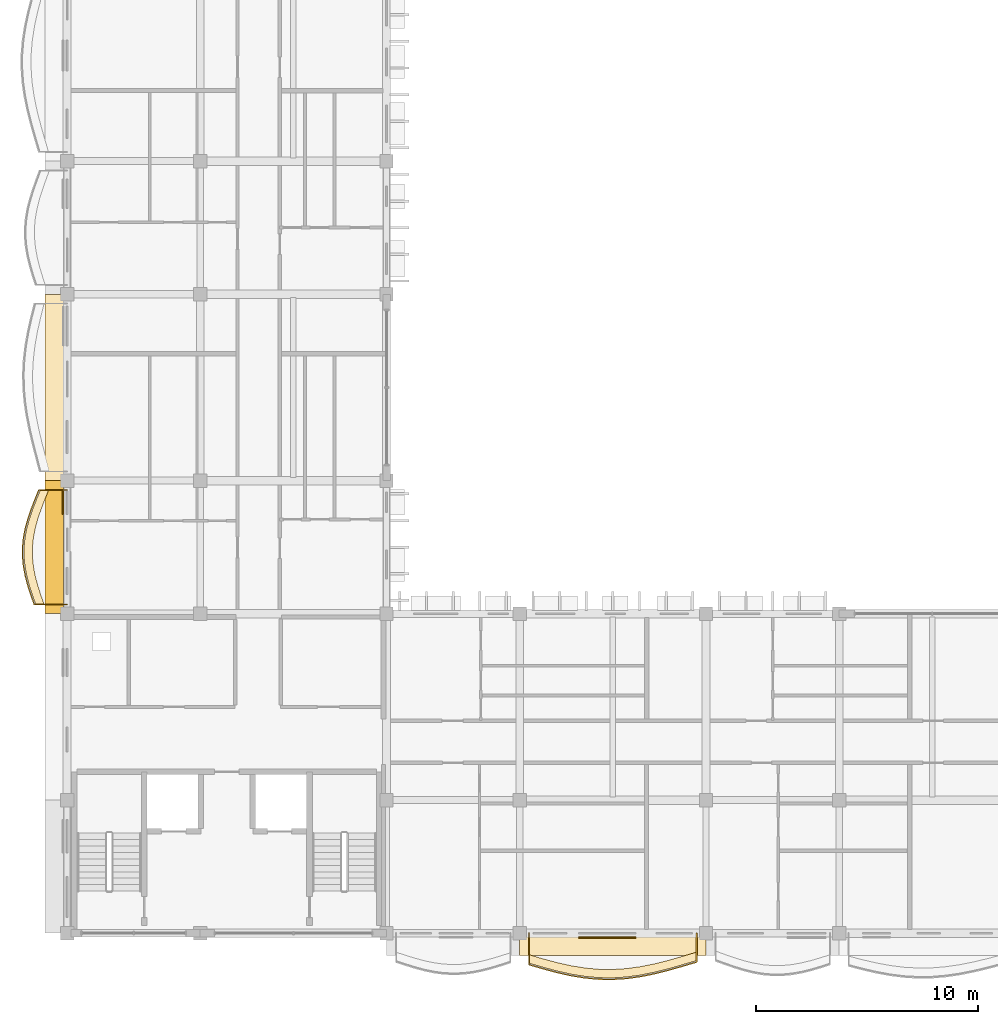
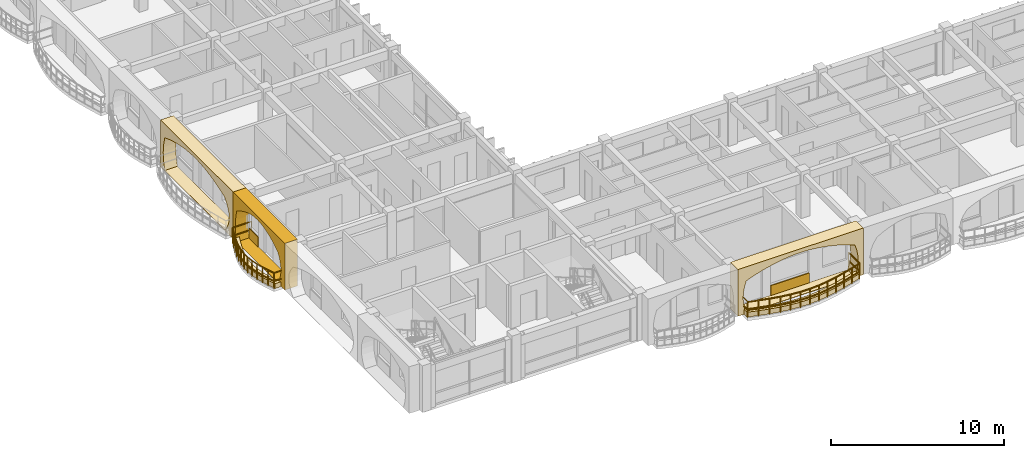
# One storey, part 52 of 79: 7 coverings, 2 railings.
"""IFC4 building model written with IfcOpenShell, lengths in metres."""

from ifc_helpers import new_model, si_unit, direction, frame, origin, origin_2d, place, context, subcontext, project, spatial, polyline, rectangle, outline, extrude, material, layer, layer_set, type_object, element, save


model = new_model("IFC4")

# Units and contexts
model_context = context("Model", 3, precision=1e-05, world=origin(), true_north=direction((0.0, 1.0)))
body_context = subcontext(model_context, "Body", "Model", "MODEL_VIEW")
ifc_project = project(units=[si_unit("LENGTHUNIT", "METRE"), si_unit("AREAUNIT", "SQUARE_METRE"), si_unit("VOLUMEUNIT", "CUBIC_METRE"), si_unit("PLANEANGLEUNIT", "RADIAN"), si_unit("MASSUNIT", "GRAM", prefix="KILO"), si_unit("THERMODYNAMICTEMPERATUREUNIT", "KELVIN")], contexts=[model_context])

# Site, building, storey
site_placement = place(None, origin())
site = spatial("IfcSite", under=ifc_project, at=site_placement, CompositionType="ELEMENT")
building_placement = place(site_placement, origin())
building = spatial("IfcBuilding", under=site, at=building_placement, Name="Thalorik Housing Commons", CompositionType="ELEMENT")
storey_placement = place(building_placement, frame((0.0, 0.0, 11.39990234375)))
storey = spatial("IfcBuildingStorey", under=building, at=storey_placement, Name="L03", CompositionType="ELEMENT", Elevation=11.39990234375)

# Coverings
ifc_material_1 = material(Name="Cobalt blue glazed ceramic facade tile panel", Category="masonry")
ifc_layer_1 = layer(ifc_material_1, 0.06005859375, Name="Cobalt blue glazed ceramic facade tile panel", Category="masonry")
ifc_layer_set_1 = layer_set([ifc_layer_1], Name="Cobalt blue glazed ceramic facade tile panel")
covering_type_1 = type_object("IfcCoveringType", Name="ARC-CLD-BLU-60", PredefinedType="CLADDING", material=ifc_layer_set_1)
covering_1_placement = place(storey_placement, frame((8.21240234375, 27.800048828125, 0.05029296875), z_axis=(0.0, 0.0, 1.0), x_axis=(0.0, -1.0, 0.0)))
element("IfcCovering", 1, at=covering_1_placement, inside=storey, type_object=covering_type_1, Name="L03 De Stijl Recessed Window Spandrel 3721", PredefinedType="CLADDING", context=body_context, shape_type="SweptSolid", body=[
    extrude(rectangle(XDim=1.050048828125, YDim=0.06005859375, at=origin_2d()), origin(), (0.0, 0.0, 1.0), 0.699951171875),
])
covering_2_placement = place(storey_placement, frame((32.7451171875, 8.21240234375, 0.05029296875), z_axis=(0.0, 0.0, 1.0), x_axis=(1.0, 0.0, 0.0)))
element("IfcCovering", 2, at=covering_2_placement, inside=storey, type_object=covering_type_1, Name="L03 De Stijl Recessed Window Spandrel 3729", PredefinedType="CLADDING", context=body_context, shape_type="SweptSolid", body=[
    extrude(rectangle(XDim=2.580078125, YDim=0.06005859375, at=origin_2d()), origin(), (0.0, 0.0, 1.0), 0.699951171875),
])
ifc_material_2 = material(Name="Precast concrete C40/50", Category="concrete")
ifc_layer_2 = layer(ifc_material_2, 0.85009765625, Name="Precast concrete C40/50", Category="concrete")
ifc_layer_set_2 = layer_set([ifc_layer_2], Name="Precast concrete C40/50")
covering_type_2 = type_object("IfcCoveringType", Name="ARC-CLD-CUSH-850", PredefinedType="CLADDING", material=ifc_layer_set_2)
covering_3_placement = place(storey_placement, frame((7.822509765625, 33.0, 0.0), z_axis=(0.0, 0.0, 1.0), x_axis=(0.0, -1.0, 0.0)))
element("IfcCovering", 3, at=covering_3_placement, inside=storey, type_object=covering_type_2, Name="L03 White Precast Curved Cushion Bay Frame 3718", PredefinedType="CLADDING", context=body_context, shape_type="SweptSolid", body=[
    extrude(outline(polyline([(-4.199951171875, 0.0), (4.199951171875, 0.0), (4.199951171875, 3.300048828125), (-4.199951171875, 3.300048828125), (-4.199951171875, 0.0)]), holes=[polyline([(3.239990234375, 0.02490234375), (3.523193359375, 0.410888671875), (3.693359375, 0.796630859375), (3.75, 1.1826171875), (3.693359375, 1.568359375), (3.523193359375, 1.9541015625), (3.239990234375, 2.340087890625), (2.661376953125, 2.552978515625), (2.08251953125, 2.720458984375), (1.50390625, 2.85595703125), (0.925048828125, 2.956787109375), (0.34619140625, 3.01904296875), (-0.232421875, 3.0400390625), (-0.811279296875, 3.01904296875), (-1.389892578125, 2.956787109375), (-1.96875, 2.85595703125), (-2.547607421875, 2.720458984375), (-3.126220703125, 2.552978515625), (-3.705078125, 2.340087890625), (-3.8095703125, 1.9541015625), (-3.872314453125, 1.568359375), (-3.89306640625, 1.1826171875), (-3.872314453125, 0.796630859375), (-3.8095703125, 0.410888671875), (-3.705078125, 0.02490234375), (3.239990234375, 0.02490234375)])]), frame((0.0, 0.425048828125, 0.0), z_axis=(0.0, -1.0, 0.0), x_axis=(1.0, 0.0, 0.0)), (0.0, 0.0, 1.0), 0.85009765625),
])
covering_4_placement = place(storey_placement, frame((7.822509765625, 25.800048828125, 0.0), z_axis=(0.0, 0.0, 1.0), x_axis=(0.0, -1.0, 0.0)))
element("IfcCovering", 4, at=covering_4_placement, inside=storey, type_object=covering_type_2, Name="L03 White Precast Curved Cushion Bay Frame 3720", PredefinedType="CLADDING", context=body_context, shape_type="SweptSolid", body=[
    extrude(outline(polyline([(-3.0, 0.0), (3.0, 0.0), (3.0, 3.300048828125), (-3.0, 3.300048828125), (-3.0, 0.0)]), holes=[polyline([(2.175048828125, 0.02490234375), (2.38330078125, 0.387451171875), (2.50830078125, 0.75), (2.550048828125, 1.112548828125), (2.50830078125, 1.47509765625), (2.38330078125, 1.83740234375), (2.175048828125, 2.199951171875), (1.779296875, 2.455810546875), (1.38330078125, 2.656494140625), (0.987548828125, 2.819091796875), (0.591796875, 2.940185546875), (0.19580078125, 3.014892578125), (-0.199951171875, 3.0400390625), (-0.595703125, 3.014892578125), (-0.99169921875, 2.940185546875), (-1.387451171875, 2.819091796875), (-1.783203125, 2.656494140625), (-2.17919921875, 2.455810546875), (-2.574951171875, 2.199951171875), (-2.664794921875, 1.83740234375), (-2.718505859375, 1.47509765625), (-2.736572265625, 1.112548828125), (-2.718505859375, 0.75), (-2.664794921875, 0.387451171875), (-2.574951171875, 0.02490234375), (2.175048828125, 0.02490234375)])]), frame((0.0, 0.425048828125, 0.0), z_axis=(0.0, -1.0, 0.0), x_axis=(1.0, 0.0, 0.0)), (0.0, 0.0, 1.0), 0.85009765625),
])
covering_5_placement = place(storey_placement, frame((33.0, 7.822509765625, 0.0), z_axis=(0.0, 0.0, 1.0), x_axis=(1.0, 0.0, 0.0)))
element("IfcCovering", 5, at=covering_5_placement, inside=storey, type_object=covering_type_2, Name="L03 White Precast Curved Cushion Bay Frame 3728", PredefinedType="CLADDING", context=body_context, shape_type="SweptSolid", body=[
    extrude(outline(polyline([(-4.199951171875, 0.0), (4.199951171875, 0.0), (4.199951171875, 3.300048828125), (-4.199951171875, 3.300048828125), (-4.199951171875, 0.0)]), holes=[polyline([(3.625, 0.02490234375), (3.746337890625, 0.404296875), (3.819091796875, 0.783203125), (3.843505859375, 1.16259765625), (3.819091796875, 1.541748046875), (3.746337890625, 1.9208984375), (3.625, 2.300048828125), (3.0205078125, 2.525390625), (2.415771484375, 2.7021484375), (1.811279296875, 2.845458984375), (1.206787109375, 2.951904296875), (0.60205078125, 3.017822265625), (-0.00244140625, 3.0400390625), (-0.607177734375, 3.017822265625), (-1.211669921875, 2.951904296875), (-1.81640625, 2.845458984375), (-2.4208984375, 2.7021484375), (-3.025390625, 2.525390625), (-3.6298828125, 2.300048828125), (-3.750244140625, 1.9208984375), (-3.822509765625, 1.541748046875), (-3.8466796875, 1.16259765625), (-3.822509765625, 0.783203125), (-3.750244140625, 0.404296875), (-3.6298828125, 0.02490234375), (3.625, 0.02490234375)])]), frame((0.0, 0.425048828125, 0.0), z_axis=(0.0, -1.0, 0.0), x_axis=(1.0, 0.0, 0.0)), (0.0, 0.0, 1.0), 0.85009765625),
])
ifc_material_3 = material(Name="Planted vegetated substrate and terracotta trough", Category="masonry")
ifc_layer_3 = layer(ifc_material_3, 0.340087890625, Name="Planted vegetated substrate and terracotta trough", Category="masonry")
ifc_layer_set_3 = layer_set([ifc_layer_3], Name="Planted vegetated substrate and terracotta trough")
covering_type_3 = type_object("IfcCoveringType", Name="ARC-COV-PLANTER", PredefinedType="USERDEFINED", material=ifc_layer_set_3)
covering_6_placement = place(storey_placement, origin())
element("IfcCovering", 6, at=covering_6_placement, inside=storey, type_object=covering_type_3, Name="L03 Balcony Slab-Edge Planted Trough 5577", ObjectType="PLANTER", PredefinedType="USERDEFINED", context=body_context, shape_type="SweptSolid", body=[
    extrude(outline(polyline([(7.19140625, 28.3798828125), (7.01708984375, 27.949951171875), (6.850830078125, 27.52001953125), (6.70361328125, 27.090087890625), (6.58447265625, 26.659912109375), (6.5009765625, 26.22998046875), (6.458251953125, 25.800048828125), (6.458251953125, 25.3701171875), (6.500244140625, 24.93994140625), (6.580810546875, 24.510009765625), (6.694091796875, 24.080078125), (6.831787109375, 23.64990234375), (6.98388671875, 23.219970703125), (7.364013671875, 23.219970703125), (7.211669921875, 23.64990234375), (7.07421875, 24.080078125), (6.9609375, 24.510009765625), (6.880126953125, 24.93994140625), (6.838134765625, 25.3701171875), (6.838134765625, 25.800048828125), (6.881103515625, 26.22998046875), (6.964599609375, 26.659912109375), (7.08349609375, 27.090087890625), (7.23095703125, 27.52001953125), (7.397216796875, 27.949951171875), (7.571533203125, 28.3798828125), (7.19140625, 28.3798828125)])), origin(), (0.0, 0.0, 1.0), 0.340087890625),
])
covering_7_placement = place(storey_placement, origin())
element("IfcCovering", 7, at=covering_7_placement, inside=storey, type_object=covering_type_3, Name="L03 Balcony Slab-Edge Planted Trough 5583", ObjectType="PLANTER", PredefinedType="USERDEFINED", context=body_context, shape_type="SweptSolid", body=[
    extrude(outline(polyline([(29.219970703125, 7.0498046875), (29.85009765625, 6.864013671875), (30.47998046875, 6.6953125), (31.110107421875, 6.5546875), (31.739990234375, 6.451904296875), (32.3701171875, 6.39453125), (33.0, 6.385986328125), (33.6298828125, 6.4267578125), (34.260009765625, 6.51416015625), (34.889892578125, 6.64208984375), (35.52001953125, 6.80126953125), (36.14990234375, 6.98095703125), (36.780029296875, 7.16845703125), (36.780029296875, 7.54833984375), (36.14990234375, 7.36083984375), (35.52001953125, 7.18115234375), (34.889892578125, 7.02197265625), (34.260009765625, 6.894287109375), (33.6298828125, 6.806884765625), (33.0, 6.765869140625), (32.3701171875, 6.7744140625), (31.739990234375, 6.83203125), (31.110107421875, 6.9345703125), (30.47998046875, 7.0751953125), (29.85009765625, 7.244140625), (29.219970703125, 7.4296875), (29.219970703125, 7.0498046875)])), origin(), (0.0, 0.0, 1.0), 0.340087890625),
])

# Railings
ifc_material_4 = material(Name="Steel S355", Category="steel")
railing_type = type_object("IfcRailingType", Name="ARC-RL-BAL-115", PredefinedType="BALUSTRADE", material=ifc_material_4)
railing_1_placement = place(storey_placement, frame((8.39990234375, 28.3798828125, 0.0)))
element("IfcRailing", 8, at=railing_1_placement, inside=storey, type_object=railing_type, Name="L03 Cushion Balcony Guardrail 261", PredefinedType="BALUSTRADE", context=body_context, shape_type="SweptSolid", body=[
    extrude(rectangle(XDim=0.050048828125, YDim=0.050048828125, at=origin_2d()), frame((0.0, 0.0, 1.125), z_axis=(-1.0, 0.0, 0.0), x_axis=(0.0, -1.0, 0.0)), (0.0, 0.0, 1.0), 1.2783203125),
    extrude(rectangle(XDim=0.050048828125, YDim=0.050048828125, at=origin_2d()), frame((0.0, 0.0, 0.5498046875), z_axis=(-1.0, 0.0, 0.0), x_axis=(0.0, -1.0, 0.0)), (0.0, 0.0, 1.0), 1.2783203125),
    extrude(rectangle(XDim=0.050048828125, YDim=0.050048828125, at=origin_2d()), frame((-1.2783203125, 0.0, 1.125), z_axis=(-0.376193572468, -0.926541092469, 0.0), x_axis=(0.926541092469, -0.376193572468, 0.0)), (0.0, 0.0, 1.0), 0.464111328125),
    extrude(rectangle(XDim=0.050048828125, YDim=0.050048828125, at=origin_2d()), frame((-1.2783203125, 0.0, 0.5498046875), z_axis=(-0.376193572468, -0.926541092469, 0.0), x_axis=(0.926541092469, -0.376193572468, 0.0)), (0.0, 0.0, 1.0), 0.464111328125),
    extrude(rectangle(XDim=0.050048828125, YDim=0.050048828125, at=origin_2d()), frame((-1.452880859375, -0.429931640625, 1.125), z_axis=(-0.360221185756, -0.9328669237, 0.0), x_axis=(0.9328669237, -0.360221185756, 0.0)), (0.0, 0.0, 1.0), 0.4609375),
    extrude(rectangle(XDim=0.050048828125, YDim=0.050048828125, at=origin_2d()), frame((-1.452880859375, -0.429931640625, 0.5498046875), z_axis=(-0.360221185756, -0.9328669237, 0.0), x_axis=(0.9328669237, -0.360221185756, 0.0)), (0.0, 0.0, 1.0), 0.4609375),
    extrude(rectangle(XDim=0.050048828125, YDim=0.050048828125, at=origin_2d()), frame((-1.618896484375, -0.85986328125, 1.125), z_axis=(-0.324434183315, -0.945908272877, 0.0), x_axis=(0.945908272877, -0.324434183315, 0.0)), (0.0, 0.0, 1.0), 0.45458984375),
    extrude(rectangle(XDim=0.050048828125, YDim=0.050048828125, at=origin_2d()), frame((-1.618896484375, -0.85986328125, 0.5498046875), z_axis=(-0.324434183315, -0.945908272877, 0.0), x_axis=(0.945908272877, -0.324434183315, 0.0)), (0.0, 0.0, 1.0), 0.45458984375),
    extrude(rectangle(XDim=0.050048828125, YDim=0.050048828125, at=origin_2d()), frame((-1.766357421875, -1.289794921875, 1.125), z_axis=(-0.26691034385, -0.963721364475, 0.0), x_axis=(0.963721364475, -0.26691034385, 0.0)), (0.0, 0.0, 1.0), 0.4462890625),
    extrude(rectangle(XDim=0.050048828125, YDim=0.050048828125, at=origin_2d()), frame((-1.766357421875, -1.289794921875, 0.5498046875), z_axis=(-0.26691034385, -0.963721364475, 0.0), x_axis=(0.963721364475, -0.26691034385, 0.0)), (0.0, 0.0, 1.0), 0.4462890625),
    extrude(rectangle(XDim=0.050048828125, YDim=0.050048828125, at=origin_2d()), frame((-1.885498046875, -1.719970703125, 1.125), z_axis=(-0.190645847629, -0.981658882088, 0.0), x_axis=(0.981658882088, -0.190645847629, 0.0)), (0.0, 0.0, 1.0), 0.43798828125),
    extrude(rectangle(XDim=0.050048828125, YDim=0.050048828125, at=origin_2d()), frame((-1.885498046875, -1.719970703125, 0.5498046875), z_axis=(-0.190645847629, -0.981658882088, 0.0), x_axis=(0.981658882088, -0.190645847629, 0.0)), (0.0, 0.0, 1.0), 0.43798828125),
    extrude(rectangle(XDim=0.050048828125, YDim=0.050048828125, at=origin_2d()), frame((-1.968994140625, -2.14990234375, 1.125), z_axis=(-0.098888270863, -0.995098542801, 0.0), x_axis=(0.995098542801, -0.098888270863, 0.0)), (0.0, 0.0, 1.0), 0.43212890625),
    extrude(rectangle(XDim=0.050048828125, YDim=0.050048828125, at=origin_2d()), frame((-1.968994140625, -2.14990234375, 0.5498046875), z_axis=(-0.098888270863, -0.995098542801, 0.0), x_axis=(0.995098542801, -0.098888270863, 0.0)), (0.0, 0.0, 1.0), 0.43212890625),
    extrude(rectangle(XDim=0.050048828125, YDim=0.050048828125, at=origin_2d()), frame((-2.01171875, -2.579833984375, 1.125), z_axis=(0.0, -1.0, 0.0), x_axis=(1.0, 0.0, 0.0)), (0.0, 0.0, 1.0), 0.429931640625),
    extrude(rectangle(XDim=0.050048828125, YDim=0.050048828125, at=origin_2d()), frame((-2.01171875, -2.579833984375, 0.5498046875), z_axis=(0.0, -1.0, 0.0), x_axis=(1.0, 0.0, 0.0)), (0.0, 0.0, 1.0), 0.429931640625),
    extrude(rectangle(XDim=0.050048828125, YDim=0.050048828125, at=origin_2d()), frame((-2.01171875, -3.009765625, 1.125), z_axis=(0.09715455208, -0.995269306776, 0.0), x_axis=(0.995269306776, 0.09715455208, 0.0)), (0.0, 0.0, 1.0), 0.43212890625),
    extrude(rectangle(XDim=0.050048828125, YDim=0.050048828125, at=origin_2d()), frame((-2.01171875, -3.009765625, 0.5498046875), z_axis=(0.09715455208, -0.995269306776, 0.0), x_axis=(0.995269306776, 0.09715455208, 0.0)), (0.0, 0.0, 1.0), 0.43212890625),
    extrude(rectangle(XDim=0.050048828125, YDim=0.050048828125, at=origin_2d()), frame((-1.9697265625, -3.43994140625, 1.125), z_axis=(0.184726561835, -0.982789955867, 0.0), x_axis=(0.982789955867, 0.184726561835, 0.0)), (0.0, 0.0, 1.0), 0.4375),
    extrude(rectangle(XDim=0.050048828125, YDim=0.050048828125, at=origin_2d()), frame((-1.9697265625, -3.43994140625, 0.5498046875), z_axis=(0.184726561835, -0.982789955867, 0.0), x_axis=(0.982789955867, 0.184726561835, 0.0)), (0.0, 0.0, 1.0), 0.4375),
    extrude(rectangle(XDim=0.050048828125, YDim=0.050048828125, at=origin_2d()), frame((-1.888916015625, -3.869873046875, 1.125), z_axis=(0.254277029817, -0.967131424423, 0.0), x_axis=(0.967131424423, 0.254277029817, 0.0)), (0.0, 0.0, 1.0), 0.444580078125),
    extrude(rectangle(XDim=0.050048828125, YDim=0.050048828125, at=origin_2d()), frame((-1.888916015625, -3.869873046875, 0.5498046875), z_axis=(0.254277029817, -0.967131424423, 0.0), x_axis=(0.967131424423, 0.254277029817, 0.0)), (0.0, 0.0, 1.0), 0.444580078125),
    extrude(rectangle(XDim=0.050048828125, YDim=0.050048828125, at=origin_2d()), frame((-1.77587890625, -4.2998046875, 1.125), z_axis=(0.304854176228, -0.952399039918, 0.0), x_axis=(0.952399039918, 0.304854176228, 0.0)), (0.0, 0.0, 1.0), 0.45166015625),
    extrude(rectangle(XDim=0.050048828125, YDim=0.050048828125, at=origin_2d()), frame((-1.77587890625, -4.2998046875, 0.5498046875), z_axis=(0.304854176228, -0.952399039918, 0.0), x_axis=(0.952399039918, 0.304854176228, 0.0)), (0.0, 0.0, 1.0), 0.45166015625),
    extrude(rectangle(XDim=0.050048828125, YDim=0.050048828125, at=origin_2d()), frame((-1.63818359375, -4.72998046875, 1.125), z_axis=(0.333995761205, -0.942574576093, 0.0), x_axis=(0.942574576093, 0.333995761205, 0.0)), (0.0, 0.0, 1.0), 0.4560546875),
    extrude(rectangle(XDim=0.050048828125, YDim=0.050048828125, at=origin_2d()), frame((-1.63818359375, -4.72998046875, 0.5498046875), z_axis=(0.333995761205, -0.942574576093, 0.0), x_axis=(0.942574576093, 0.333995761205, 0.0)), (0.0, 0.0, 1.0), 0.4560546875),
    extrude(rectangle(XDim=0.050048828125, YDim=0.050048828125, at=origin_2d()), frame((-1.48583984375, -5.159912109375, 1.125), z_axis=(1.0, 0.0, 0.0), x_axis=(0.0, 1.0, 0.0)), (0.0, 0.0, 1.0), 1.48583984375),
    extrude(rectangle(XDim=0.050048828125, YDim=0.050048828125, at=origin_2d()), frame((-1.48583984375, -5.159912109375, 0.5498046875), z_axis=(1.0, 0.0, 0.0), x_axis=(0.0, 1.0, 0.0)), (0.0, 0.0, 1.0), 1.48583984375),
    extrude(rectangle(XDim=0.0419921875, YDim=0.0419921875, at=origin_2d()), origin(), (0.0, 0.0, 1.0), 1.099853515625),
    extrude(rectangle(XDim=0.0419921875, YDim=0.0419921875, at=origin_2d()), frame((-1.2783203125, 0.0, 0.0)), (0.0, 0.0, 1.0), 1.099853515625),
    extrude(rectangle(XDim=0.0419921875, YDim=0.0419921875, at=origin_2d()), frame((-1.452880859375, -0.429931640625, 0.0)), (0.0, 0.0, 1.0), 1.099853515625),
    extrude(rectangle(XDim=0.0419921875, YDim=0.0419921875, at=origin_2d()), frame((-1.618896484375, -0.85986328125, 0.0)), (0.0, 0.0, 1.0), 1.099853515625),
    extrude(rectangle(XDim=0.0419921875, YDim=0.0419921875, at=origin_2d()), frame((-1.766357421875, -1.289794921875, 0.0)), (0.0, 0.0, 1.0), 1.099853515625),
    extrude(rectangle(XDim=0.0419921875, YDim=0.0419921875, at=origin_2d()), frame((-1.885498046875, -1.719970703125, 0.0)), (0.0, 0.0, 1.0), 1.099853515625),
    extrude(rectangle(XDim=0.0419921875, YDim=0.0419921875, at=origin_2d()), frame((-1.968994140625, -2.14990234375, 0.0)), (0.0, 0.0, 1.0), 1.099853515625),
    extrude(rectangle(XDim=0.0419921875, YDim=0.0419921875, at=origin_2d()), frame((-2.01171875, -2.579833984375, 0.0)), (0.0, 0.0, 1.0), 1.099853515625),
    extrude(rectangle(XDim=0.0419921875, YDim=0.0419921875, at=origin_2d()), frame((-2.01171875, -3.009765625, 0.0)), (0.0, 0.0, 1.0), 1.099853515625),
    extrude(rectangle(XDim=0.0419921875, YDim=0.0419921875, at=origin_2d()), frame((-1.9697265625, -3.43994140625, 0.0)), (0.0, 0.0, 1.0), 1.099853515625),
    extrude(rectangle(XDim=0.0419921875, YDim=0.0419921875, at=origin_2d()), frame((-1.888916015625, -3.869873046875, 0.0)), (0.0, 0.0, 1.0), 1.099853515625),
    extrude(rectangle(XDim=0.0419921875, YDim=0.0419921875, at=origin_2d()), frame((-1.77587890625, -4.2998046875, 0.0)), (0.0, 0.0, 1.0), 1.099853515625),
    extrude(rectangle(XDim=0.0419921875, YDim=0.0419921875, at=origin_2d()), frame((-1.63818359375, -4.72998046875, 0.0)), (0.0, 0.0, 1.0), 1.099853515625),
    extrude(rectangle(XDim=0.0419921875, YDim=0.0419921875, at=origin_2d()), frame((-1.48583984375, -5.159912109375, 0.0)), (0.0, 0.0, 1.0), 1.099853515625),
    extrude(rectangle(XDim=0.0419921875, YDim=0.0419921875, at=origin_2d()), frame((0.0, -5.159912109375, 0.0)), (0.0, 0.0, 1.0), 1.099853515625),
])
railing_2_placement = place(storey_placement, frame((29.219970703125, 8.39990234375, 0.0)))
element("IfcRailing", 9, at=railing_2_placement, inside=storey, type_object=railing_type, Name="L03 Cushion Balcony Guardrail 267", PredefinedType="BALUSTRADE", context=body_context, shape_type="SweptSolid", body=[
    extrude(rectangle(XDim=0.050048828125, YDim=0.050048828125, at=origin_2d()), frame((0.0, 0.0, 1.125), z_axis=(0.0, -1.0, 0.0), x_axis=(1.0, 0.0, 0.0)), (0.0, 0.0, 1.0), 1.420166015625),
    extrude(rectangle(XDim=0.050048828125, YDim=0.050048828125, at=origin_2d()), frame((0.0, 0.0, 0.5498046875), z_axis=(0.0, -1.0, 0.0), x_axis=(1.0, 0.0, 0.0)), (0.0, 0.0, 1.0), 1.420166015625),
    extrude(rectangle(XDim=0.050048828125, YDim=0.050048828125, at=origin_2d()), frame((0.0, -1.420166015625, 1.125), z_axis=(0.959276679741, -0.282468142814, 0.0), x_axis=(0.282468142814, 0.959276679741, 0.0)), (0.0, 0.0, 1.0), 0.656982421875),
    extrude(rectangle(XDim=0.050048828125, YDim=0.050048828125, at=origin_2d()), frame((0.0, -1.420166015625, 0.5498046875), z_axis=(0.959276679741, -0.282468142814, 0.0), x_axis=(0.282468142814, 0.959276679741, 0.0)), (0.0, 0.0, 1.0), 0.656982421875),
    extrude(rectangle(XDim=0.050048828125, YDim=0.050048828125, at=origin_2d()), frame((0.630126953125, -1.605712890625, 1.125), z_axis=(0.965861116795, -0.259060423575, 0.0), x_axis=(0.259060423575, 0.965861116795, 0.0)), (0.0, 0.0, 1.0), 0.652099609375),
    extrude(rectangle(XDim=0.050048828125, YDim=0.050048828125, at=origin_2d()), frame((0.630126953125, -1.605712890625, 0.5498046875), z_axis=(0.965861116795, -0.259060423575, 0.0), x_axis=(0.259060423575, 0.965861116795, 0.0)), (0.0, 0.0, 1.0), 0.652099609375),
    extrude(rectangle(XDim=0.050048828125, YDim=0.050048828125, at=origin_2d()), frame((1.260009765625, -1.774658203125, 1.125), z_axis=(0.975990917387, -0.217811223718, 0.0), x_axis=(0.217811223718, 0.975990917387, 0.0)), (0.0, 0.0, 1.0), 0.6455078125),
    extrude(rectangle(XDim=0.050048828125, YDim=0.050048828125, at=origin_2d()), frame((1.260009765625, -1.774658203125, 0.5498046875), z_axis=(0.975990917387, -0.217811223718, 0.0), x_axis=(0.217811223718, 0.975990917387, 0.0)), (0.0, 0.0, 1.0), 0.6455078125),
    extrude(rectangle(XDim=0.050048828125, YDim=0.050048828125, at=origin_2d()), frame((1.89013671875, -1.915283203125, 1.125), z_axis=(0.987007269931, -0.160675602082, 0.0), x_axis=(0.160675602082, 0.987007269931, 0.0)), (0.0, 0.0, 1.0), 0.63818359375),
    extrude(rectangle(XDim=0.050048828125, YDim=0.050048828125, at=origin_2d()), frame((1.89013671875, -1.915283203125, 0.5498046875), z_axis=(0.987007269931, -0.160675602082, 0.0), x_axis=(0.160675602082, 0.987007269931, 0.0)), (0.0, 0.0, 1.0), 0.63818359375),
    extrude(rectangle(XDim=0.050048828125, YDim=0.050048828125, at=origin_2d()), frame((2.52001953125, -2.017822265625, 1.125), z_axis=(0.995845630762, -0.091057562518, 0.0), x_axis=(0.091057562518, 0.995845630762, 0.0)), (0.0, 0.0, 1.0), 0.6328125),
    extrude(rectangle(XDim=0.050048828125, YDim=0.050048828125, at=origin_2d()), frame((2.52001953125, -2.017822265625, 0.5498046875), z_axis=(0.995845630762, -0.091057562518, 0.0), x_axis=(0.091057562518, 0.995845630762, 0.0)), (0.0, 0.0, 1.0), 0.6328125),
    extrude(rectangle(XDim=0.050048828125, YDim=0.050048828125, at=origin_2d()), frame((3.150146484375, -2.075439453125, 1.125), z_axis=(0.999907995993, -0.013564643356, 0.0), x_axis=(0.013564643356, 0.999907995993, 0.0)), (0.0, 0.0, 1.0), 0.6298828125),
    extrude(rectangle(XDim=0.050048828125, YDim=0.050048828125, at=origin_2d()), frame((3.150146484375, -2.075439453125, 0.5498046875), z_axis=(0.999907995993, -0.013564643356, 0.0), x_axis=(0.013564643356, 0.999907995993, 0.0)), (0.0, 0.0, 1.0), 0.6298828125),
    extrude(rectangle(XDim=0.050048828125, YDim=0.050048828125, at=origin_2d()), frame((3.780029296875, -2.083984375, 1.125), z_axis=(0.997911658868, 0.064593506601, 0.0), x_axis=(-0.064593506601, 0.997911658868, 0.0)), (0.0, 0.0, 1.0), 0.631103515625),
    extrude(rectangle(XDim=0.050048828125, YDim=0.050048828125, at=origin_2d()), frame((3.780029296875, -2.083984375, 0.5498046875), z_axis=(0.997911658868, 0.064593506601, 0.0), x_axis=(-0.064593506601, 0.997911658868, 0.0)), (0.0, 0.0, 1.0), 0.631103515625),
    extrude(rectangle(XDim=0.050048828125, YDim=0.050048828125, at=origin_2d()), frame((4.409912109375, -2.043212890625, 1.125), z_axis=(0.990516951139, 0.137390572843, 0.0), x_axis=(-0.137390572843, 0.990516951139, 0.0)), (0.0, 0.0, 1.0), 0.63623046875),
    extrude(rectangle(XDim=0.050048828125, YDim=0.050048828125, at=origin_2d()), frame((4.409912109375, -2.043212890625, 0.5498046875), z_axis=(0.990516951139, 0.137390572843, 0.0), x_axis=(-0.137390572843, 0.990516951139, 0.0)), (0.0, 0.0, 1.0), 0.63623046875),
    extrude(rectangle(XDim=0.050048828125, YDim=0.050048828125, at=origin_2d()), frame((5.0400390625, -1.955810546875, 1.125), z_axis=(0.979991950448, 0.19903712482, 0.0), x_axis=(-0.19903712482, 0.979991950448, 0.0)), (0.0, 0.0, 1.0), 0.642822265625),
    extrude(rectangle(XDim=0.050048828125, YDim=0.050048828125, at=origin_2d()), frame((5.0400390625, -1.955810546875, 0.5498046875), z_axis=(0.979991950448, 0.19903712482, 0.0), x_axis=(-0.19903712482, 0.979991950448, 0.0)), (0.0, 0.0, 1.0), 0.642822265625),
    extrude(rectangle(XDim=0.050048828125, YDim=0.050048828125, at=origin_2d()), frame((5.669921875, -1.827880859375, 1.125), z_axis=(0.969542950291, 0.244921349705, 0.0), x_axis=(-0.244921349705, 0.969542950291, 0.0)), (0.0, 0.0, 1.0), 0.64990234375),
    extrude(rectangle(XDim=0.050048828125, YDim=0.050048828125, at=origin_2d()), frame((5.669921875, -1.827880859375, 0.5498046875), z_axis=(0.969542950291, 0.244921349705, 0.0), x_axis=(-0.244921349705, 0.969542950291, 0.0)), (0.0, 0.0, 1.0), 0.64990234375),
    extrude(rectangle(XDim=0.050048828125, YDim=0.050048828125, at=origin_2d()), frame((6.300048828125, -1.668701171875, 1.125), z_axis=(0.961636388432, 0.274327279801, 0.0), x_axis=(-0.274327279801, 0.961636388432, 0.0)), (0.0, 0.0, 1.0), 0.655029296875),
    extrude(rectangle(XDim=0.050048828125, YDim=0.050048828125, at=origin_2d()), frame((6.300048828125, -1.668701171875, 0.5498046875), z_axis=(0.961636388432, 0.274327279801, 0.0), x_axis=(-0.274327279801, 0.961636388432, 0.0)), (0.0, 0.0, 1.0), 0.655029296875),
    extrude(rectangle(XDim=0.050048828125, YDim=0.050048828125, at=origin_2d()), frame((6.929931640625, -1.489013671875, 1.125), z_axis=(0.958467789843, 0.285200799147, 0.0), x_axis=(-0.285200799147, 0.958467789843, 0.0)), (0.0, 0.0, 1.0), 0.657470703125),
    extrude(rectangle(XDim=0.050048828125, YDim=0.050048828125, at=origin_2d()), frame((6.929931640625, -1.489013671875, 0.5498046875), z_axis=(0.958467789843, 0.285200799147, 0.0), x_axis=(-0.285200799147, 0.958467789843, 0.0)), (0.0, 0.0, 1.0), 0.657470703125),
    extrude(rectangle(XDim=0.050048828125, YDim=0.050048828125, at=origin_2d()), frame((7.56005859375, -1.301513671875, 1.125), z_axis=(0.0, 1.0, 0.0), x_axis=(-1.0, 0.0, 0.0)), (0.0, 0.0, 1.0), 1.301513671875),
    extrude(rectangle(XDim=0.050048828125, YDim=0.050048828125, at=origin_2d()), frame((7.56005859375, -1.301513671875, 0.5498046875), z_axis=(0.0, 1.0, 0.0), x_axis=(-1.0, 0.0, 0.0)), (0.0, 0.0, 1.0), 1.301513671875),
    extrude(rectangle(XDim=0.0419921875, YDim=0.0419921875, at=origin_2d()), origin(), (0.0, 0.0, 1.0), 1.099853515625),
    extrude(rectangle(XDim=0.0419921875, YDim=0.0419921875, at=origin_2d()), frame((0.0, -1.420166015625, 0.0)), (0.0, 0.0, 1.0), 1.099853515625),
    extrude(rectangle(XDim=0.0419921875, YDim=0.0419921875, at=origin_2d()), frame((0.630126953125, -1.605712890625, 0.0)), (0.0, 0.0, 1.0), 1.099853515625),
    extrude(rectangle(XDim=0.0419921875, YDim=0.0419921875, at=origin_2d()), frame((1.260009765625, -1.774658203125, 0.0)), (0.0, 0.0, 1.0), 1.099853515625),
    extrude(rectangle(XDim=0.0419921875, YDim=0.0419921875, at=origin_2d()), frame((1.89013671875, -1.915283203125, 0.0)), (0.0, 0.0, 1.0), 1.099853515625),
    extrude(rectangle(XDim=0.0419921875, YDim=0.0419921875, at=origin_2d()), frame((2.52001953125, -2.017822265625, 0.0)), (0.0, 0.0, 1.0), 1.099853515625),
    extrude(rectangle(XDim=0.0419921875, YDim=0.0419921875, at=origin_2d()), frame((3.150146484375, -2.075439453125, 0.0)), (0.0, 0.0, 1.0), 1.099853515625),
    extrude(rectangle(XDim=0.0419921875, YDim=0.0419921875, at=origin_2d()), frame((3.780029296875, -2.083984375, 0.0)), (0.0, 0.0, 1.0), 1.099853515625),
    extrude(rectangle(XDim=0.0419921875, YDim=0.0419921875, at=origin_2d()), frame((4.409912109375, -2.043212890625, 0.0)), (0.0, 0.0, 1.0), 1.099853515625),
    extrude(rectangle(XDim=0.0419921875, YDim=0.0419921875, at=origin_2d()), frame((5.0400390625, -1.955810546875, 0.0)), (0.0, 0.0, 1.0), 1.099853515625),
    extrude(rectangle(XDim=0.0419921875, YDim=0.0419921875, at=origin_2d()), frame((5.669921875, -1.827880859375, 0.0)), (0.0, 0.0, 1.0), 1.099853515625),
    extrude(rectangle(XDim=0.0419921875, YDim=0.0419921875, at=origin_2d()), frame((6.300048828125, -1.668701171875, 0.0)), (0.0, 0.0, 1.0), 1.099853515625),
    extrude(rectangle(XDim=0.0419921875, YDim=0.0419921875, at=origin_2d()), frame((6.929931640625, -1.489013671875, 0.0)), (0.0, 0.0, 1.0), 1.099853515625),
    extrude(rectangle(XDim=0.0419921875, YDim=0.0419921875, at=origin_2d()), frame((7.56005859375, -1.301513671875, 0.0)), (0.0, 0.0, 1.0), 1.099853515625),
    extrude(rectangle(XDim=0.0419921875, YDim=0.0419921875, at=origin_2d()), frame((7.56005859375, 0.0, 0.0)), (0.0, 0.0, 1.0), 1.099853515625),
])

save(model, "model.ifc")
